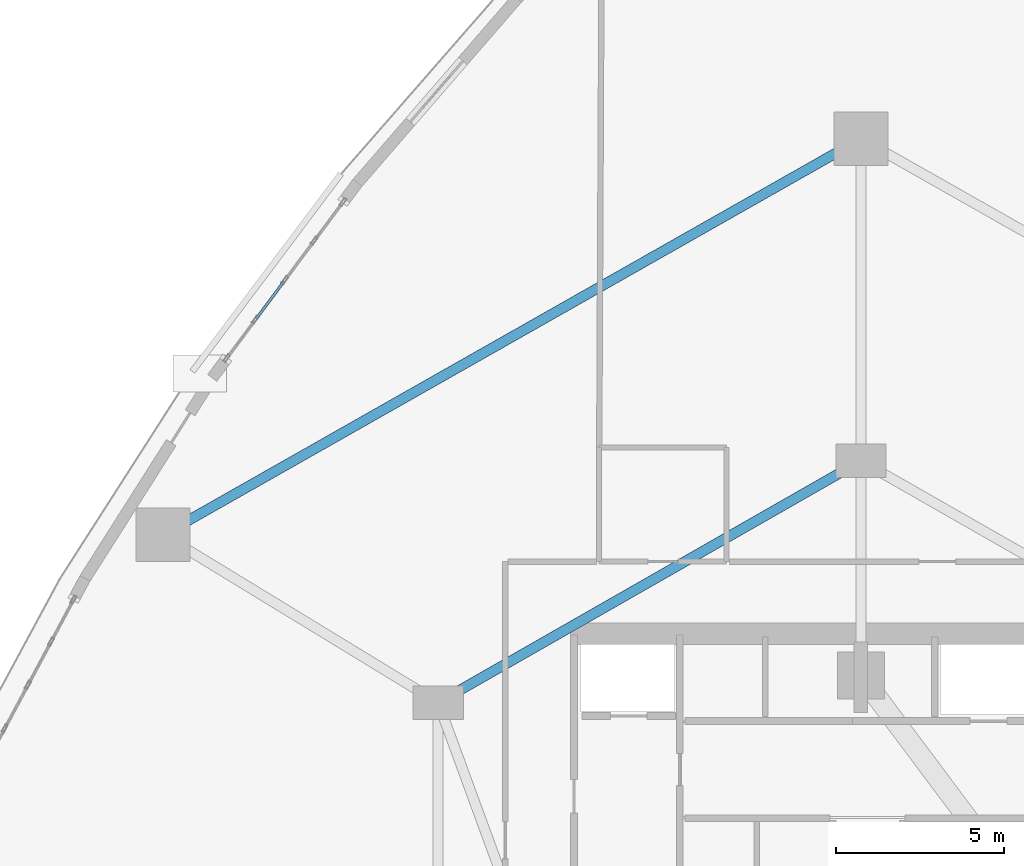
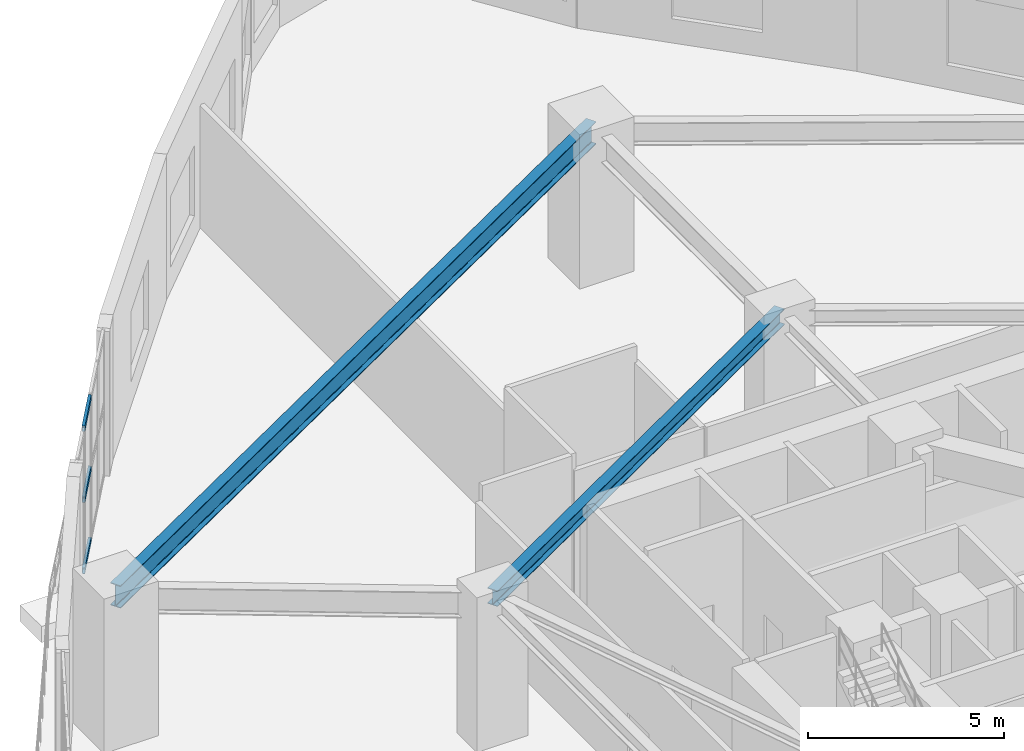
# One storey, part 11 of 25: 3 members, 2 beams, 1 element without a shape of its own.
"""IFC4 building model written with IfcOpenShell, lengths in metres."""

from ifc_helpers import new_model, si_unit, direction, frame, origin, origin_2d, place, context, subcontext, project, spatial, hollow_rectangle, i_section, extrude, material, layer, layer_set, material_profile, profile_set, type_object, element, aggregate, save


model = new_model("IFC4")

# Units and contexts
model_context = context("Model", 3, precision=1e-05, world=origin(), true_north=direction((0.0, 1.0)))
body_context = subcontext(model_context, "Body", "Model", "MODEL_VIEW")
ifc_project = project(units=[si_unit("LENGTHUNIT", "METRE"), si_unit("AREAUNIT", "SQUARE_METRE"), si_unit("VOLUMEUNIT", "CUBIC_METRE"), si_unit("PLANEANGLEUNIT", "RADIAN"), si_unit("MASSUNIT", "GRAM", prefix="KILO")], contexts=[model_context])

# Site, building, storey
site_placement = place(None, origin())
site = spatial("IfcSite", under=ifc_project, at=site_placement, CompositionType="ELEMENT")
building_placement = place(site_placement, origin())
building = spatial("IfcBuilding", under=site, at=building_placement, Name="Miruveldt Soraemaru", CompositionType="ELEMENT")
storey_placement = place(building_placement, frame((0.0, 0.0, 4.800048828125)))
storey = spatial("IfcBuildingStorey", under=building, at=storey_placement, Name="L02", CompositionType="ELEMENT", Elevation=4.800048828125)

# Beams
ifc_material_1 = material(Name="Steel SM355 (355 MPa)", Category="steel")
ifc_material_profile_1 = material_profile(ifc_material_1, i_section(OverallWidth=0.300048828125, OverallDepth=0.488037109375, WebThickness=0.010986328125, FlangeThickness=0.01806640625, FilletRadius=0.02587890625, at=origin_2d()), Name="Steel SM355 (355 MPa)", Category="steel")
ifc_profile_set_1 = profile_set([ifc_material_profile_1], Name="Steel SM355 (355 MPa)")
beam_type_1 = type_object("IfcBeamType", Name="BM-ST-H488", PredefinedType="BEAM", material=ifc_profile_set_1)
beam_1_placement = place(storey_placement, frame((31.39990234375, 50.39990234375, 4.255859375), z_axis=(0.868239001029, 0.496146185203, 0.0), x_axis=(-0.496146185203, 0.868239001029, 0.0)))
element("IfcBeam", 1, at=beam_1_placement, inside=storey, type_object=beam_type_1, Name="L02 Inner Ring Girder 6", PredefinedType="BEAM", context=body_context, shape_type="SweptSolid", body=[
    extrude(i_section(OverallWidth=0.300048828125, OverallDepth=0.488037109375, WebThickness=0.010986328125, FlangeThickness=0.01806640625, FilletRadius=0.02587890625, at=origin_2d()), origin(), (0.0, 0.0, 1.0), 14.51220703125),
])
ifc_material_profile_2 = material_profile(ifc_material_1, i_section(OverallWidth=0.300048828125, OverallDepth=0.699951171875, WebThickness=0.012939453125, FlangeThickness=0.02392578125, FilletRadius=0.028076171875, at=origin_2d()), Name="Steel SM355 (355 MPa)", Category="steel")
ifc_profile_set_2 = profile_set([ifc_material_profile_2], Name="Steel SM355 (355 MPa)")
beam_type_2 = type_object("IfcBeamType", Name="BM-ST-H700", PredefinedType="BEAM", material=ifc_profile_set_2)
beam_2_placement = place(storey_placement, frame((23.199951171875, 55.39990234375, 4.14990234375), z_axis=(0.869782551993, 0.493435215858, 0.0), x_axis=(-0.493435215858, 0.869782551993, 0.0)))
element("IfcBeam", 2, at=beam_2_placement, inside=storey, type_object=beam_type_2, Name="L02 Podium Ring Girder 6", PredefinedType="BEAM", context=body_context, shape_type="SweptSolid", body=[
    extrude(i_section(OverallWidth=0.300048828125, OverallDepth=0.699951171875, WebThickness=0.012939453125, FlangeThickness=0.02392578125, FilletRadius=0.028076171875, at=origin_2d()), origin(), (0.0, 0.0, 1.0), 23.9140625),
])

# Curtain wall, members
ifc_material_2 = material(Name="Anodised aluminium EN AW-6063 T6", Category="aluminium")
ifc_layer = layer(ifc_material_2, 0.239990234375, Name="Anodised aluminium EN AW-6063 T6", Category="aluminium")
ifc_layer_set = layer_set([ifc_layer], Name="Anodised aluminium EN AW-6063 T6")
curtain_wall_type = type_object("IfcCurtainWallType", Name="CW-SYS-1", PredefinedType="USERDEFINED", material=ifc_layer_set)
curtain_wall_placement = place(storey_placement, origin())
curtain_wall = element("IfcCurtainWall", 3, at=curtain_wall_placement, inside=storey, type_object=curtain_wall_type, Name="L02 Curtain Wall Bay 9", ObjectType="STOREFRONT", PredefinedType="USERDEFINED")
ifc_material_profile_3 = material_profile(ifc_material_2, hollow_rectangle(XDim=0.080078125, YDim=0.179931640625, WallThickness=0.00390625, at=origin_2d()), Name="Anodised aluminium EN AW-6063 T6", Category="aluminium")
ifc_profile_set_3 = profile_set([ifc_material_profile_3], Name="Anodised aluminium EN AW-6063 T6")
member_type = type_object("IfcMemberType", Name="CWT-1", PredefinedType="USERDEFINED", material=ifc_profile_set_3)
member_1_placement = place(storey_placement, frame((26.806640625, 62.952880859375, 0.0400390625), z_axis=(-0.59716046409, -0.802121798811, 0.0), x_axis=(0.802121798811, -0.59716046409, 0.0)))
member_1 = element("IfcMember", 4, at=member_1_placement, type_object=member_type, Name="CW-1 transom 3.1", ObjectType="TRANSOM", PredefinedType="USERDEFINED", context=body_context, shape_type="SweptSolid", body=[
    extrude(hollow_rectangle(XDim=0.080078125, YDim=0.179931640625, WallThickness=0.00390625, at=origin_2d()), origin(), (0.0, 0.0, 1.0), 1.391357421875),
])
member_2_placement = place(storey_placement, frame((26.806640625, 62.952880859375, 2.25), z_axis=(-0.59716046409, -0.802121798811, 0.0), x_axis=(0.802121798811, -0.59716046409, 0.0)))
member_2 = element("IfcMember", 5, at=member_2_placement, type_object=member_type, Name="CW-1 transom 3.2", ObjectType="TRANSOM", PredefinedType="USERDEFINED", context=body_context, shape_type="SweptSolid", body=[
    extrude(hollow_rectangle(XDim=0.080078125, YDim=0.179931640625, WallThickness=0.00390625, at=origin_2d()), origin(), (0.0, 0.0, 1.0), 1.391357421875),
])
member_3_placement = place(storey_placement, frame((26.806640625, 62.952880859375, 4.4599609375), z_axis=(-0.59716046409, -0.802121798811, 0.0), x_axis=(0.802121798811, -0.59716046409, 0.0)))
member_3 = element("IfcMember", 6, at=member_3_placement, type_object=member_type, Name="CW-1 transom 3.3", ObjectType="TRANSOM", PredefinedType="USERDEFINED", context=body_context, shape_type="SweptSolid", body=[
    extrude(hollow_rectangle(XDim=0.080078125, YDim=0.179931640625, WallThickness=0.00390625, at=origin_2d()), origin(), (0.0, 0.0, 1.0), 1.391357421875),
])
aggregate(curtain_wall, [member_1, member_2, member_3])

save(model, "model.ifc")
